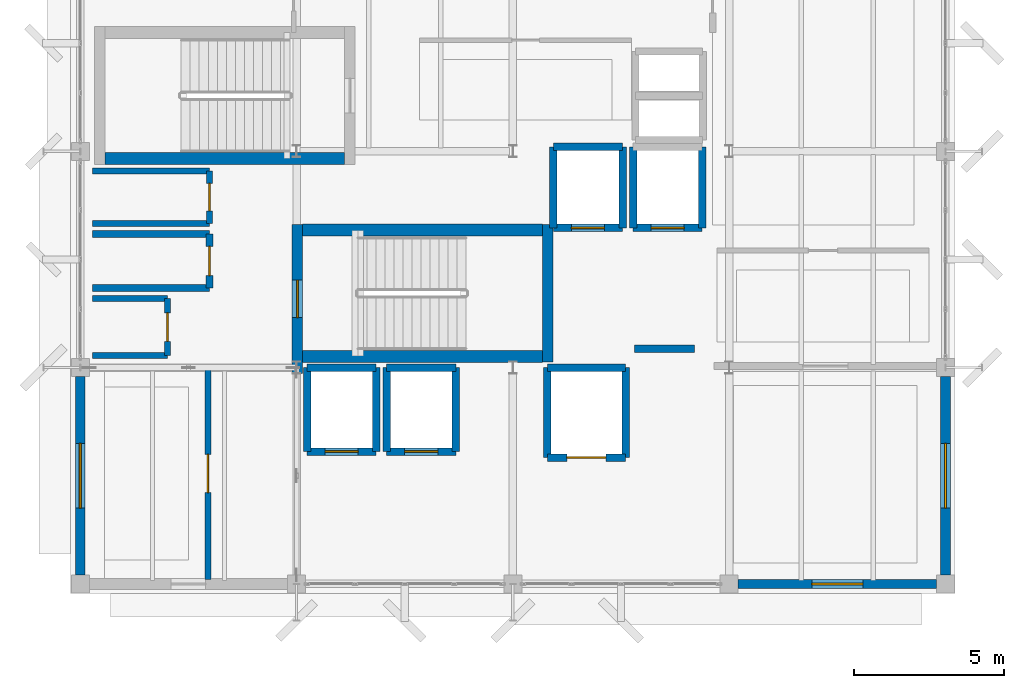
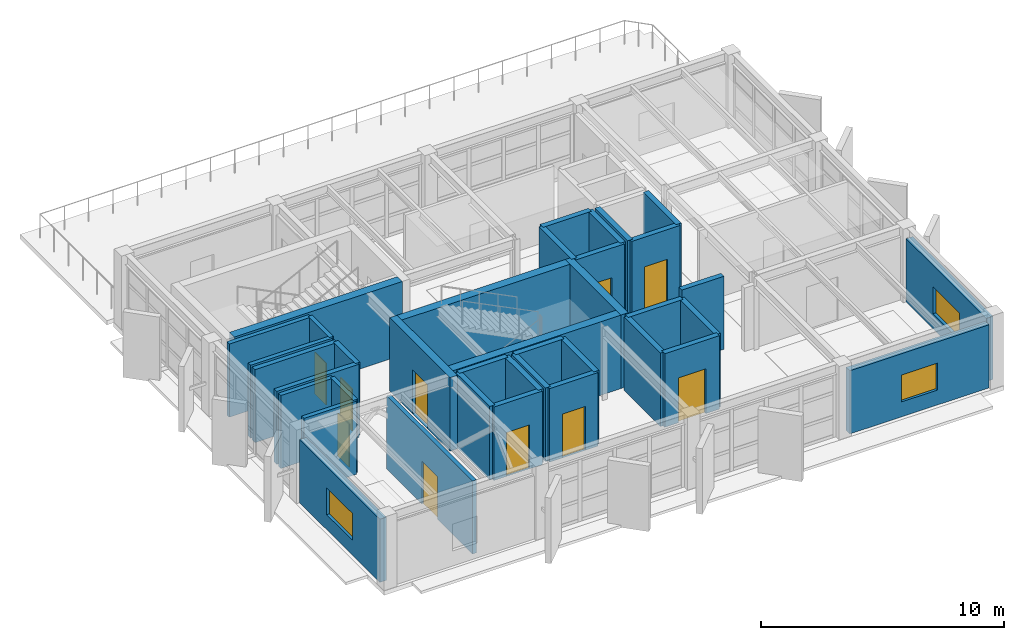
# One storey, part 11 of 16: 38 walls, 10 doors, 3 windows, 13 openings.
"""IFC4 building model written with IfcOpenShell, lengths in metres."""

from ifc_helpers import new_model, si_unit, direction, frame, frame_2d, origin, place, context, subcontext, project, spatial, rectangle, extrude, material, layer, layer_set, type_object, element, fill, save


model = new_model("IFC4")

# Units and contexts
model_context = context("Model", 3, precision=1e-05, world=origin(), true_north=direction((0.0, 1.0)))
body_context = subcontext(model_context, "Body", "Model", "MODEL_VIEW")
ifc_project = project(units=[si_unit("LENGTHUNIT", "METRE"), si_unit("AREAUNIT", "SQUARE_METRE"), si_unit("VOLUMEUNIT", "CUBIC_METRE"), si_unit("PLANEANGLEUNIT", "RADIAN"), si_unit("MASSUNIT", "GRAM", prefix="KILO")], contexts=[model_context])

# Site, building, storey
site_placement = place(None, origin())
site = spatial("IfcSite", under=ifc_project, at=site_placement, CompositionType="ELEMENT")
building_placement = place(site_placement, origin())
building = spatial("IfcBuilding", under=site, at=building_placement, Name="Kandorven Conservatory and Botanical Research Centre", CompositionType="ELEMENT")
storey_placement = place(building_placement, frame((0.0, 0.0, 44.39990234375)))
storey = spatial("IfcBuildingStorey", under=building, at=storey_placement, Name="L11", CompositionType="ELEMENT", Elevation=44.39990234375)

# Walls
ifc_material_1 = material(Name="Concrete C40/50 (M50)", Category="concrete")
ifc_layer_1 = layer(ifc_material_1, 0.39990234375)
ifc_layer_set_1 = layer_set([ifc_layer_1], Name="Concrete C40/50 (M50)")
wall_type_1 = type_object("IfcWallType", Name="Wall_CW-RC-1", PredefinedType="SHEAR", material=ifc_layer_set_1)
for number, where, z_axis, x_axis, name in (
    (1, (13.39990234375, 13.574951171875, 0.0), (0.0, 0.0, 1.0), (1.0, 0.0, 0.0), "Core stair shear wall CW-RC-1 ST-T1 L11 side A"),
    (2, (13.39990234375, 17.77490234375, 0.0), (0.0, 0.0, 1.0), (1.0, 0.0, 0.0), "Core stair shear wall CW-RC-1 ST-T1 L11 side B"),
    (3, (14.800048828125, 20.155029296875, 0.0), (0.0, 0.0, 1.0), (-1.0, 0.0, 0.0), "Core stair shear wall CW-RC-1 ST-T2 L11 side B"),
):
    element("IfcWall", number, at=place(storey_placement, frame(where, z_axis=z_axis, x_axis=x_axis)), inside=storey, type_object=wall_type_1, Name=name, PredefinedType="SHEAR", context=body_context, shape_type="SweptSolid", body=[
        extrude(rectangle(XDim=7.97998046875, YDim=0.39990234375, at=frame_2d((3.989990234375, 0.0))), origin(), (0.0, 0.0, 1.0), 3.690185546875),
    ])

# Wall, opening, door
ifc_material_2 = material(Name="Concrete C40/50 (M50)", Category="concrete")
ifc_layer_2 = layer(ifc_material_2, 0.35009765625)
ifc_layer_set_2 = layer_set([ifc_layer_2], Name="Concrete C40/50 (M50)")
wall_type_2 = type_object("IfcWallType", Name="Wall_CW-RC-2", PredefinedType="SHEAR", material=ifc_layer_set_2)
wall_1_placement = place(storey_placement, frame((13.22509765625, 13.0, 0.0), z_axis=(0.0, 0.0, 1.0), x_axis=(0.0, 1.0, 0.0)))
wall_1 = element("IfcWall", 4, at=wall_1_placement, inside=storey, type_object=wall_type_2, Name="Core stair shear wall CW-RC-2 ST-T1 L11 entry", PredefinedType="SHEAR", context=body_context, shape_type="SweptSolid", body=[
    extrude(rectangle(XDim=4.969970703125, YDim=0.35009765625, at=frame_2d((2.48486328125, 0.0))), origin(), (0.0, 0.0, 1.0), 3.690185546875),
])
opening_1_placement = place(wall_1_placement, frame((1.860107421875, 0.0, 0.0)))
opening_1 = element("IfcOpeningElement", 5, at=opening_1_placement, cuts=wall_1, Name="Opening FD-1", PredefinedType="OPENING", context=body_context, shape_type="SweptSolid", body=[
    extrude(rectangle(XDim=1.25, YDim=2.199951171875, at=frame_2d((0.625, 1.10009765625))), frame((0.0, 0.18505859375, 0.0), z_axis=(0.0, -1.0, 0.0), x_axis=(1.0, 0.0, 0.0)), (0.0, 0.0, 1.0), 0.3701171875),
])
ifc_material_3 = material(Name="Galvanised hollow steel fire door assembly", Category="steel")
door_type_1 = type_object("IfcDoorType", Name="Door_FD-1", OperationType="NOTDEFINED", PredefinedType="DOOR", material=ifc_material_3)
door_1_placement = place(opening_1_placement, origin())
door_1 = element("IfcDoor", 6, at=door_1_placement, inside=storey, type_object=door_type_1, Name="Exit stair fire door FD-1 ST-T1 L11", OperationType="SINGLE_SWING_RIGHT", OverallHeight=2.199951171875, OverallWidth=1.25, PredefinedType="DOOR", context=body_context, shape_type="SweptSolid", body=[
    extrude(rectangle(XDim=1.25, YDim=2.199951171875, at=frame_2d((0.625, 1.10009765625))), frame((0.0, 0.02490234375, 0.0), z_axis=(0.0, -1.0, 0.0), x_axis=(1.0, 0.0, 0.0)), (0.0, 0.0, 1.0), 0.050048828125),
])
fill(opening_1, door_1)

# Wall
wall_2_placement = place(storey_placement, frame((21.554931640625, 13.3798828125, 0.0), z_axis=(0.0, 0.0, 1.0), x_axis=(0.0, 1.0, 0.0)))
element("IfcWall", 7, at=wall_2_placement, inside=storey, type_object=wall_type_2, Name="Core stair shear wall CW-RC-2 ST-T1 L11 far", PredefinedType="SHEAR", context=body_context, shape_type="SweptSolid", body=[
    extrude(rectangle(XDim=4.590087890625, YDim=0.35009765625, at=frame_2d((2.294921875, 0.0))), origin(), (0.0, 0.0, 1.0), 3.690185546875),
])

# Wall, opening, door
wall_3_placement = place(storey_placement, frame((21.75, 17.85009765625, 0.0), z_axis=(0.0, 0.0, 1.0), x_axis=(1.0, 0.0, 0.0)))
wall_3 = element("IfcWall", 8, at=wall_3_placement, inside=storey, type_object=wall_type_2, Name="Lift shaft wall FFL-1 L11 S", PredefinedType="SHEAR", context=body_context, shape_type="SweptSolid", body=[
    extrude(rectangle(XDim=2.300048828125, YDim=0.25, at=frame_2d((1.14990234375, 0.0))), origin(), (0.0, 0.0, 1.0), 3.690185546875),
])
opening_2_placement = place(wall_3_placement, frame((0.60009765625, 0.0, 0.0)))
opening_2 = element("IfcOpeningElement", 9, at=opening_2_placement, cuts=wall_3, Name="Opening LD-01", PredefinedType="OPENING", context=body_context, shape_type="SweptSolid", body=[
    extrude(rectangle(XDim=1.10009765625, YDim=2.199951171875, at=frame_2d((0.550048828125, 1.10009765625))), frame((0.0, 0.135009765625, 0.0), z_axis=(0.0, -1.0, 0.0), x_axis=(1.0, 0.0, 0.0)), (0.0, 0.0, 1.0), 0.27001953125),
])
ifc_material_4 = material(Name="Anodised aluminium sliding landing door", Category="aluminium")
door_type_2 = type_object("IfcDoorType", Name="Door_LD-01", OperationType="DOUBLE_DOOR_SLIDING", PredefinedType="DOOR", material=ifc_material_4)
door_2_placement = place(opening_2_placement, origin())
door_2 = element("IfcDoor", 10, at=door_2_placement, inside=storey, type_object=door_type_2, Name="Lift landing sliding door LD-01 (FFL-1 L11)", OperationType="DOUBLE_DOOR_SLIDING", OverallHeight=2.199951171875, OverallWidth=1.10009765625, PredefinedType="DOOR", context=body_context, shape_type="SweptSolid", body=[
    extrude(rectangle(XDim=1.10009765625, YDim=2.199951171875, at=frame_2d((0.550048828125, 1.10009765625))), frame((0.0, 0.02490234375, 0.0), z_axis=(0.0, -1.0, 0.0), x_axis=(1.0, 0.0, 0.0)), (0.0, 0.0, 1.0), 0.050048828125),
])
fill(opening_2, door_2)

# Walls
wall_4_placement = place(storey_placement, frame((21.75, 20.550048828125, 0.0), z_axis=(0.0, 0.0, 1.0), x_axis=(1.0, 0.0, 0.0)))
element("IfcWall", 11, at=wall_4_placement, inside=storey, type_object=wall_type_2, Name="Lift shaft wall FFL-1 L11 N", PredefinedType="SHEAR", context=body_context, shape_type="SweptSolid", body=[
    extrude(rectangle(XDim=2.300048828125, YDim=0.25, at=frame_2d((1.14990234375, 0.0))), origin(), (0.0, 0.0, 1.0), 3.690185546875),
])
for number, where, z_axis, x_axis, name in (
    (12, (21.75, 17.85009765625, 0.0), (0.0, 0.0, 1.0), (0.0, 1.0, 0.0), "Lift shaft wall FFL-1 L11 W"),
    (13, (24.050048828125, 17.85009765625, 0.0), (0.0, 0.0, 1.0), (0.0, 1.0, 0.0), "Lift shaft wall FFL-1 L11 E"),
):
    element("IfcWall", number, at=place(storey_placement, frame(where, z_axis=z_axis, x_axis=x_axis)), inside=storey, type_object=wall_type_2, Name=name, PredefinedType="SHEAR", context=body_context, shape_type="SweptSolid", body=[
        extrude(rectangle(XDim=2.699951171875, YDim=0.25, at=frame_2d((1.35009765625, 0.0))), origin(), (0.0, 0.0, 1.0), 3.690185546875),
    ])

# Wall, opening, door
wall_5_placement = place(storey_placement, frame((24.39990234375, 17.85009765625, 0.0), z_axis=(0.0, 0.0, 1.0), x_axis=(1.0, 0.0, 0.0)))
wall_5 = element("IfcWall", 14, at=wall_5_placement, inside=storey, type_object=wall_type_2, Name="Lift shaft wall FFL-2 L11 S", PredefinedType="SHEAR", context=body_context, shape_type="SweptSolid", body=[
    extrude(rectangle(XDim=2.300048828125, YDim=0.25, at=frame_2d((1.14990234375, 0.0))), origin(), (0.0, 0.0, 1.0), 3.690185546875),
])
opening_3_placement = place(wall_5_placement, frame((0.60009765625, 0.0, 0.0)))
opening_3 = element("IfcOpeningElement", 15, at=opening_3_placement, cuts=wall_5, Name="Opening LD-01", PredefinedType="OPENING", context=body_context, shape_type="SweptSolid", body=[
    extrude(rectangle(XDim=1.10009765625, YDim=2.199951171875, at=frame_2d((0.550048828125, 1.10009765625))), frame((0.0, 0.135009765625, 0.0), z_axis=(0.0, -1.0, 0.0), x_axis=(1.0, 0.0, 0.0)), (0.0, 0.0, 1.0), 0.27001953125),
])
door_3_placement = place(opening_3_placement, origin())
door_3 = element("IfcDoor", 16, at=door_3_placement, inside=storey, type_object=door_type_2, Name="Lift landing sliding door LD-01 (FFL-2 L11)", OperationType="DOUBLE_DOOR_SLIDING", OverallHeight=2.199951171875, OverallWidth=1.10009765625, PredefinedType="DOOR", context=body_context, shape_type="SweptSolid", body=[
    extrude(rectangle(XDim=1.10009765625, YDim=2.199951171875, at=frame_2d((0.550048828125, 1.10009765625))), frame((0.0, 0.02490234375, 0.0), z_axis=(0.0, -1.0, 0.0), x_axis=(1.0, 0.0, 0.0)), (0.0, 0.0, 1.0), 0.050048828125),
])
fill(opening_3, door_3)

# Walls
for number, where, z_axis, x_axis, name in (
    (17, (24.39990234375, 17.85009765625, 0.0), (0.0, 0.0, 1.0), (0.0, 1.0, 0.0), "Lift shaft wall FFL-2 L11 W"),
    (18, (26.699951171875, 17.85009765625, 0.0), (0.0, 0.0, 1.0), (0.0, 1.0, 0.0), "Lift shaft wall FFL-2 L11 E"),
):
    element("IfcWall", number, at=place(storey_placement, frame(where, z_axis=z_axis, x_axis=x_axis)), inside=storey, type_object=wall_type_2, Name=name, PredefinedType="SHEAR", context=body_context, shape_type="SweptSolid", body=[
        extrude(rectangle(XDim=2.699951171875, YDim=0.25, at=frame_2d((1.35009765625, 0.0))), origin(), (0.0, 0.0, 1.0), 3.690185546875),
    ])

# Wall, opening, door
wall_6_placement = place(storey_placement, frame((13.550048828125, 10.39990234375, 0.0), z_axis=(0.0, 0.0, 1.0), x_axis=(1.0, 0.0, 0.0)))
wall_6 = element("IfcWall", 19, at=wall_6_placement, inside=storey, type_object=wall_type_2, Name="Lift shaft wall PL-1 L11 S", PredefinedType="SHEAR", context=body_context, shape_type="SweptSolid", body=[
    extrude(rectangle(XDim=2.300048828125, YDim=0.25, at=frame_2d((1.14990234375, 0.0))), origin(), (0.0, 0.0, 1.0), 3.690185546875),
])
opening_4_placement = place(wall_6_placement, frame((0.60009765625, 0.0, 0.0)))
opening_4 = element("IfcOpeningElement", 20, at=opening_4_placement, cuts=wall_6, Name="Opening LD-01", PredefinedType="OPENING", context=body_context, shape_type="SweptSolid", body=[
    extrude(rectangle(XDim=1.10009765625, YDim=2.199951171875, at=frame_2d((0.550048828125, 1.10009765625))), frame((0.0, 0.135009765625, 0.0), z_axis=(0.0, -1.0, 0.0), x_axis=(1.0, 0.0, 0.0)), (0.0, 0.0, 1.0), 0.27001953125),
])
door_4_placement = place(opening_4_placement, origin())
door_4 = element("IfcDoor", 21, at=door_4_placement, inside=storey, type_object=door_type_2, Name="Lift landing sliding door LD-01 (PL-1 L11)", OperationType="DOUBLE_DOOR_SLIDING", OverallHeight=2.199951171875, OverallWidth=1.10009765625, PredefinedType="DOOR", context=body_context, shape_type="SweptSolid", body=[
    extrude(rectangle(XDim=1.10009765625, YDim=2.199951171875, at=frame_2d((0.550048828125, 1.10009765625))), frame((0.0, 0.02490234375, 0.0), z_axis=(0.0, -1.0, 0.0), x_axis=(1.0, 0.0, 0.0)), (0.0, 0.0, 1.0), 0.050048828125),
])
fill(opening_4, door_4)

# Walls
wall_7_placement = place(storey_placement, frame((13.550048828125, 13.199951171875, 0.0), z_axis=(0.0, 0.0, 1.0), x_axis=(1.0, 0.0, 0.0)))
element("IfcWall", 22, at=wall_7_placement, inside=storey, type_object=wall_type_2, Name="Lift shaft wall PL-1 L11 N", PredefinedType="SHEAR", context=body_context, shape_type="SweptSolid", body=[
    extrude(rectangle(XDim=2.300048828125, YDim=0.25, at=frame_2d((1.14990234375, 0.0))), origin(), (0.0, 0.0, 1.0), 3.690185546875),
])
for number, where, z_axis, x_axis, name in (
    (23, (13.550048828125, 10.39990234375, 0.0), (0.0, 0.0, 1.0), (0.0, 1.0, 0.0), "Lift shaft wall PL-1 L11 W"),
    (24, (15.85009765625, 10.39990234375, 0.0), (0.0, 0.0, 1.0), (0.0, 1.0, 0.0), "Lift shaft wall PL-1 L11 E"),
):
    element("IfcWall", number, at=place(storey_placement, frame(where, z_axis=z_axis, x_axis=x_axis)), inside=storey, type_object=wall_type_2, Name=name, PredefinedType="SHEAR", context=body_context, shape_type="SweptSolid", body=[
        extrude(rectangle(XDim=2.800048828125, YDim=0.25, at=frame_2d((1.39990234375, 0.0))), origin(), (0.0, 0.0, 1.0), 3.690185546875),
    ])

# Wall, opening, door
wall_8_placement = place(storey_placement, frame((16.199951171875, 10.39990234375, 0.0), z_axis=(0.0, 0.0, 1.0), x_axis=(1.0, 0.0, 0.0)))
wall_8 = element("IfcWall", 25, at=wall_8_placement, inside=storey, type_object=wall_type_2, Name="Lift shaft wall PL-2 L11 S", PredefinedType="SHEAR", context=body_context, shape_type="SweptSolid", body=[
    extrude(rectangle(XDim=2.300048828125, YDim=0.25, at=frame_2d((1.14990234375, 0.0))), origin(), (0.0, 0.0, 1.0), 3.690185546875),
])
opening_5_placement = place(wall_8_placement, frame((0.60009765625, 0.0, 0.0)))
opening_5 = element("IfcOpeningElement", 26, at=opening_5_placement, cuts=wall_8, Name="Opening LD-01", PredefinedType="OPENING", context=body_context, shape_type="SweptSolid", body=[
    extrude(rectangle(XDim=1.10009765625, YDim=2.199951171875, at=frame_2d((0.550048828125, 1.10009765625))), frame((0.0, 0.135009765625, 0.0), z_axis=(0.0, -1.0, 0.0), x_axis=(1.0, 0.0, 0.0)), (0.0, 0.0, 1.0), 0.27001953125),
])
door_5_placement = place(opening_5_placement, origin())
door_5 = element("IfcDoor", 27, at=door_5_placement, inside=storey, type_object=door_type_2, Name="Lift landing sliding door LD-01 (PL-2 L11)", OperationType="DOUBLE_DOOR_SLIDING", OverallHeight=2.199951171875, OverallWidth=1.10009765625, PredefinedType="DOOR", context=body_context, shape_type="SweptSolid", body=[
    extrude(rectangle(XDim=1.10009765625, YDim=2.199951171875, at=frame_2d((0.550048828125, 1.10009765625))), frame((0.0, 0.02490234375, 0.0), z_axis=(0.0, -1.0, 0.0), x_axis=(1.0, 0.0, 0.0)), (0.0, 0.0, 1.0), 0.050048828125),
])
fill(opening_5, door_5)

# Walls
wall_9_placement = place(storey_placement, frame((16.199951171875, 13.199951171875, 0.0), z_axis=(0.0, 0.0, 1.0), x_axis=(1.0, 0.0, 0.0)))
element("IfcWall", 28, at=wall_9_placement, inside=storey, type_object=wall_type_2, Name="Lift shaft wall PL-2 L11 N", PredefinedType="SHEAR", context=body_context, shape_type="SweptSolid", body=[
    extrude(rectangle(XDim=2.300048828125, YDim=0.25, at=frame_2d((1.14990234375, 0.0))), origin(), (0.0, 0.0, 1.0), 3.690185546875),
])
for number, where, z_axis, x_axis, name in (
    (29, (16.199951171875, 10.39990234375, 0.0), (0.0, 0.0, 1.0), (0.0, 1.0, 0.0), "Lift shaft wall PL-2 L11 W"),
    (30, (18.5, 10.39990234375, 0.0), (0.0, 0.0, 1.0), (0.0, 1.0, 0.0), "Lift shaft wall PL-2 L11 E"),
):
    element("IfcWall", number, at=place(storey_placement, frame(where, z_axis=z_axis, x_axis=x_axis)), inside=storey, type_object=wall_type_2, Name=name, PredefinedType="SHEAR", context=body_context, shape_type="SweptSolid", body=[
        extrude(rectangle(XDim=2.800048828125, YDim=0.25, at=frame_2d((1.39990234375, 0.0))), origin(), (0.0, 0.0, 1.0), 3.690185546875),
    ])

# Wall, opening, door
wall_10_placement = place(storey_placement, frame((21.550048828125, 10.199951171875, 0.0), z_axis=(0.0, 0.0, 1.0), x_axis=(1.0, 0.0, 0.0)))
wall_10 = element("IfcWall", 31, at=wall_10_placement, inside=storey, type_object=wall_type_2, Name="Lift shaft wall GL-1 L11 S", PredefinedType="SHEAR", context=body_context, shape_type="SweptSolid", body=[
    extrude(rectangle(XDim=2.599853515625, YDim=0.25, at=frame_2d((1.2998046875, 0.0))), origin(), (0.0, 0.0, 1.0), 3.690185546875),
])
opening_6_placement = place(wall_10_placement, frame((0.64990234375, 0.0, 0.0)))
opening_6 = element("IfcOpeningElement", 32, at=opening_6_placement, cuts=wall_10, Name="Opening LD-02", PredefinedType="OPENING", context=body_context, shape_type="SweptSolid", body=[
    extrude(rectangle(XDim=1.300048828125, YDim=2.25, at=frame_2d((0.64990234375, 1.125))), frame((0.0, 0.135009765625, 0.0), z_axis=(0.0, -1.0, 0.0), x_axis=(1.0, 0.0, 0.0)), (0.0, 0.0, 1.0), 0.27001953125),
])
ifc_material_5 = material(Name="Anodised aluminium sliding landing door", Category="aluminium")
door_type_3 = type_object("IfcDoorType", Name="Door_LD-02", OperationType="DOUBLE_DOOR_SLIDING", PredefinedType="DOOR", material=ifc_material_5)
door_6_placement = place(opening_6_placement, origin())
door_6 = element("IfcDoor", 33, at=door_6_placement, inside=storey, type_object=door_type_3, Name="Lift landing sliding door LD-02 (GL-1 L11)", OperationType="DOUBLE_DOOR_SLIDING", OverallHeight=2.25, OverallWidth=1.300048828125, PredefinedType="DOOR", context=body_context, shape_type="SweptSolid", body=[
    extrude(rectangle(XDim=1.300048828125, YDim=2.25, at=frame_2d((0.64990234375, 1.125))), frame((0.0, 0.02490234375, 0.0), z_axis=(0.0, -1.0, 0.0), x_axis=(1.0, 0.0, 0.0)), (0.0, 0.0, 1.0), 0.050048828125),
])
fill(opening_6, door_6)

# Walls
wall_11_placement = place(storey_placement, frame((21.550048828125, 13.199951171875, 0.0), z_axis=(0.0, 0.0, 1.0), x_axis=(1.0, 0.0, 0.0)))
element("IfcWall", 34, at=wall_11_placement, inside=storey, type_object=wall_type_2, Name="Lift shaft wall GL-1 L11 N", PredefinedType="SHEAR", context=body_context, shape_type="SweptSolid", body=[
    extrude(rectangle(XDim=2.599853515625, YDim=0.25, at=frame_2d((1.2998046875, 0.0))), origin(), (0.0, 0.0, 1.0), 3.690185546875),
])
for number, where, z_axis, x_axis, name in (
    (35, (21.550048828125, 10.199951171875, 0.0), (0.0, 0.0, 1.0), (0.0, 1.0, 0.0), "Lift shaft wall GL-1 L11 W"),
    (36, (24.14990234375, 10.199951171875, 0.0), (0.0, 0.0, 1.0), (0.0, 1.0, 0.0), "Lift shaft wall GL-1 L11 E"),
):
    element("IfcWall", number, at=place(storey_placement, frame(where, z_axis=z_axis, x_axis=x_axis)), inside=storey, type_object=wall_type_2, Name=name, PredefinedType="SHEAR", context=body_context, shape_type="SweptSolid", body=[
        extrude(rectangle(XDim=3.0, YDim=0.25, at=frame_2d((1.5, 0.0))), origin(), (0.0, 0.0, 1.0), 3.690185546875),
    ])

# Wall, opening, window
ifc_material_6 = material(Name="Concrete C32/40 (M40)", Category="concrete")
ifc_layer_3 = layer(ifc_material_6, 0.320068359375)
ifc_layer_set_3 = layer_set([ifc_layer_3], Name="Concrete C32/40 (M40)")
wall_type_3 = type_object("IfcWallType", Name="Wall_EW-03", PredefinedType="STANDARD", material=ifc_layer_set_3)
wall_12_placement = place(storey_placement, frame((6.0, 6.300048828125, 0.0), z_axis=(0.0, 0.0, 1.0), x_axis=(0.0, 1.0, 0.0)))
wall_12 = element("IfcWall", 37, at=wall_12_placement, inside=storey, type_object=wall_type_3, Name="Tower concrete facade wall EW-03 W L11", PredefinedType="STANDARD", context=body_context, shape_type="SweptSolid", body=[
    extrude(rectangle(XDim=6.599853515625, YDim=0.320068359375, at=frame_2d((3.2998046875, 0.0))), origin(), (0.0, 0.0, 1.0), 3.170166015625),
])
opening_7_placement = place(wall_12_placement, frame((2.22509765625, 0.0, 0.75)))
opening_7 = element("IfcOpeningElement", 38, at=opening_7_placement, cuts=wall_12, Name="Opening W-36", PredefinedType="OPENING", context=body_context, shape_type="SweptSolid", body=[
    extrude(rectangle(XDim=2.14990234375, YDim=1.35009765625, at=frame_2d((1.074951171875, 0.675048828125))), frame((0.0, 0.169921875, 0.0), z_axis=(0.0, -1.0, 0.0), x_axis=(1.0, 0.0, 0.0)), (0.0, 0.0, 1.0), 0.340087890625),
])
ifc_material_7 = material(Name="Double-glazed solar-control low-E glass", Category="glass")
window_type_1 = type_object("IfcWindowType", Name="Win_W-36", PartitioningType="DOUBLE_PANEL_VERTICAL", PredefinedType="WINDOW", material=ifc_material_7)
window_1_placement = place(opening_7_placement, origin())
window_1 = element("IfcWindow", 39, at=window_1_placement, inside=storey, type_object=window_type_1, Name="Tower recessed solar window W-36", OverallHeight=1.35009765625, OverallWidth=2.14990234375, PartitioningType="SINGLE_PANEL", PredefinedType="WINDOW", context=body_context, shape_type="SweptSolid", body=[
    extrude(rectangle(XDim=2.14990234375, YDim=1.35009765625, at=frame_2d((1.074951171875, 0.675048828125))), frame((0.0, 0.030029296875, 0.0), z_axis=(0.0, -1.0, 0.0), x_axis=(1.0, 0.0, 0.0)), (0.0, 0.0, 1.0), 0.06005859375),
])
fill(opening_7, window_1)

wall_13_placement = place(storey_placement, frame((34.800048828125, 6.300048828125, 0.0), z_axis=(0.0, 0.0, 1.0), x_axis=(0.0, 1.0, 0.0)))
wall_13 = element("IfcWall", 40, at=wall_13_placement, inside=storey, type_object=wall_type_3, Name="Tower concrete facade wall EW-03 E L11", PredefinedType="STANDARD", context=body_context, shape_type="SweptSolid", body=[
    extrude(rectangle(XDim=6.599853515625, YDim=0.320068359375, at=frame_2d((3.2998046875, 0.0))), origin(), (0.0, 0.0, 1.0), 3.170166015625),
])
opening_8_placement = place(wall_13_placement, frame((2.22509765625, 0.0, 0.75)))
opening_8 = element("IfcOpeningElement", 41, at=opening_8_placement, cuts=wall_13, Name="Opening W-36", PredefinedType="OPENING", context=body_context, shape_type="SweptSolid", body=[
    extrude(rectangle(XDim=2.14990234375, YDim=1.35009765625, at=frame_2d((1.074951171875, 0.675048828125))), frame((0.0, 0.169921875, 0.0), z_axis=(0.0, -1.0, 0.0), x_axis=(1.0, 0.0, 0.0)), (0.0, 0.0, 1.0), 0.340087890625),
])
window_2_placement = place(opening_8_placement, origin())
window_2 = element("IfcWindow", 42, at=window_2_placement, inside=storey, type_object=window_type_1, Name="Tower recessed solar window W-36", OverallHeight=1.35009765625, OverallWidth=2.14990234375, PartitioningType="SINGLE_PANEL", PredefinedType="WINDOW", context=body_context, shape_type="SweptSolid", body=[
    extrude(rectangle(XDim=2.14990234375, YDim=1.35009765625, at=frame_2d((1.074951171875, 0.675048828125))), frame((0.0, 0.030029296875, 0.0), z_axis=(0.0, -1.0, 0.0), x_axis=(1.0, 0.0, 0.0)), (0.0, 0.0, 1.0), 0.06005859375),
])
fill(opening_8, window_2)

ifc_material_8 = material(Name="Concrete C32/40 (M40)", Category="concrete")
ifc_layer_4 = layer(ifc_material_8, 0.300048828125)
ifc_layer_set_4 = layer_set([ifc_layer_4], Name="Concrete C32/40 (M40)")
wall_type_4 = type_object("IfcWallType", Name="Wall_EW-04", PredefinedType="STANDARD", material=ifc_layer_set_4)
wall_14_placement = place(storey_placement, frame((27.89990234375, 6.0, 0.0), z_axis=(0.0, 0.0, 1.0), x_axis=(1.0, 0.0, 0.0)))
wall_14 = element("IfcWall", 43, at=wall_14_placement, inside=storey, type_object=wall_type_4, Name="Tower concrete facade wall EW-04 S L11", PredefinedType="STANDARD", context=body_context, shape_type="SweptSolid", body=[
    extrude(rectangle(XDim=6.60009765625, YDim=0.300048828125, at=frame_2d((3.300048828125, 0.0))), origin(), (0.0, 0.0, 1.0), 3.170166015625),
])
opening_9_placement = place(wall_14_placement, frame((2.449951171875, 0.0, 0.75)))
opening_9 = element("IfcOpeningElement", 44, at=opening_9_placement, cuts=wall_14, Name="Opening W-34", PredefinedType="OPENING", context=body_context, shape_type="SweptSolid", body=[
    extrude(rectangle(XDim=1.699951171875, YDim=1.35009765625, at=frame_2d((0.85009765625, 0.675048828125))), frame((0.0, 0.159912109375, 0.0), z_axis=(0.0, -1.0, 0.0), x_axis=(1.0, 0.0, 0.0)), (0.0, 0.0, 1.0), 0.320068359375),
])
ifc_material_9 = material(Name="Double-glazed solar-control low-E glass", Category="glass")
window_type_2 = type_object("IfcWindowType", Name="Win_W-34", PartitioningType="DOUBLE_PANEL_VERTICAL", PredefinedType="WINDOW", material=ifc_material_9)
window_3_placement = place(opening_9_placement, origin())
window_3 = element("IfcWindow", 45, at=window_3_placement, inside=storey, type_object=window_type_2, Name="Tower recessed solar window W-34", OverallHeight=1.35009765625, OverallWidth=1.699951171875, PartitioningType="SINGLE_PANEL", PredefinedType="WINDOW", context=body_context, shape_type="SweptSolid", body=[
    extrude(rectangle(XDim=1.699951171875, YDim=1.35009765625, at=frame_2d((0.85009765625, 0.675048828125))), frame((0.0, 0.030029296875, 0.0), z_axis=(0.0, -1.0, 0.0), x_axis=(1.0, 0.0, 0.0)), (0.0, 0.0, 1.0), 0.06005859375),
])
fill(opening_9, window_3)

# Wall, opening, door
ifc_material_10 = material(Name="Autoclaved aerated concrete blockwork masonry", Category="masonry")
ifc_layer_5 = layer(ifc_material_10, 0.195068359375)
ifc_layer_set_5 = layer_set([ifc_layer_5], Name="Autoclaved aerated concrete blockwork masonry")
wall_type_5 = type_object("IfcWallType", Name="Wall_IW-02", PredefinedType="PARTITIONING", material=ifc_layer_set_5)
wall_15_placement = place(storey_placement, frame((10.25, 6.14990234375, 0.0), z_axis=(0.0, 0.0, 1.0), x_axis=(0.0, 1.0, 0.0)))
wall_15 = element("IfcWall", 46, at=wall_15_placement, inside=storey, type_object=wall_type_5, Name="Interior partition wall IW-02 (Senior Curator Research Studio L11)", PredefinedType="PARTITIONING", context=body_context, shape_type="SweptSolid", body=[
    extrude(rectangle(XDim=7.050048828125, YDim=0.195068359375, at=frame_2d((3.52490234375, 0.0))), origin(), (0.0, 0.0, 1.0), 3.670166015625),
])
opening_10_placement = place(wall_15_placement, frame((2.885009765625, 0.0, 0.0)))
opening_10 = element("IfcOpeningElement", 47, at=opening_10_placement, cuts=wall_15, Name="Opening D-15", PredefinedType="OPENING", context=body_context, shape_type="SweptSolid", body=[
    extrude(rectangle(XDim=1.280029296875, YDim=2.14990234375, at=frame_2d((0.64013671875, 1.074951171875))), frame((0.0, 0.107421875, 0.0), z_axis=(0.0, -1.0, 0.0), x_axis=(1.0, 0.0, 0.0)), (0.0, 0.0, 1.0), 0.215087890625),
])
ifc_material_11 = material(Name="Solid core acoustic teak-veneered timber leaf", Category="wood")
door_type_4 = type_object("IfcDoorType", Name="Door_D-15", OperationType="NOTDEFINED", PredefinedType="DOOR", material=ifc_material_11)
door_7_placement = place(opening_10_placement, origin())
door_7 = element("IfcDoor", 48, at=door_7_placement, inside=storey, type_object=door_type_4, Name="Interior door D-15 to Senior Curator Research Studio L11", OperationType="SINGLE_SWING_LEFT", OverallHeight=2.14990234375, OverallWidth=1.280029296875, PredefinedType="DOOR", context=body_context, shape_type="SweptSolid", body=[
    extrude(rectangle(XDim=1.280029296875, YDim=2.14990234375, at=frame_2d((0.64013671875, 1.074951171875))), frame((0.0, 0.02490234375, 0.0), z_axis=(0.0, -1.0, 0.0), x_axis=(1.0, 0.0, 0.0)), (0.0, 0.0, 1.0), 0.050048828125),
])
fill(opening_10, door_7)

# Wall
ifc_material_12 = material(Name="Concrete C32/40 (M40)", Category="concrete")
ifc_layer_6 = layer(ifc_material_12, 0.25)
ifc_layer_set_6 = layer_set([ifc_layer_6], Name="Concrete C32/40 (M40)")
wall_type_6 = type_object("IfcWallType", Name="Wall_IW-FR-1", PredefinedType="SOLIDWALL", material=ifc_layer_set_6)
wall_16_placement = place(storey_placement, frame((24.449951171875, 13.820068359375, 0.0), z_axis=(0.0, 0.0, 1.0), x_axis=(1.0, 0.0, 0.0)))
element("IfcWall", 49, at=wall_16_placement, inside=storey, type_object=wall_type_6, Name="Interior fire partition wall IW-FR-1 (Firefighting Lift Lobby L11)", PredefinedType="SOLIDWALL", context=body_context, shape_type="SweptSolid", body=[
    extrude(rectangle(XDim=2.0, YDim=0.25, at=frame_2d((1.0, 0.0))), origin(), (0.0, 0.0, 1.0), 3.670166015625),
])

# Wall, opening, door
ifc_material_13 = material(Name="Autoclaved aerated concrete blockwork masonry", Category="masonry")
ifc_layer_7 = layer(ifc_material_13, 0.22998046875)
ifc_layer_set_7 = layer_set([ifc_layer_7], Name="Autoclaved aerated concrete blockwork masonry")
wall_type_7 = type_object("IfcWallType", Name="Wall_PW-PL-1", PredefinedType="PLUMBINGWALL", material=ifc_layer_set_7)
wall_17_placement = place(storey_placement, frame((10.300048828125, 15.85009765625, 0.0), z_axis=(0.0, 0.0, 1.0), x_axis=(0.0, 1.0, 0.0)))
wall_17 = element("IfcWall", 50, at=wall_17_placement, inside=storey, type_object=wall_type_7, Name="Interior partition wall PW-PL-1 (Staff Female WC L11)", PredefinedType="PLUMBINGWALL", context=body_context, shape_type="SweptSolid", body=[
    extrude(rectangle(XDim=1.7998046875, YDim=0.22998046875, at=frame_2d((0.89990234375, 0.0))), origin(), (0.0, 0.0, 1.0), 3.670166015625),
])
opening_11_placement = place(wall_17_placement, frame((0.409912109375, 0.0, 0.0)))
opening_11 = element("IfcOpeningElement", 51, at=opening_11_placement, cuts=wall_17, Name="Opening D-12", PredefinedType="OPENING", context=body_context, shape_type="SweptSolid", body=[
    extrude(rectangle(XDim=0.97998046875, YDim=2.10009765625, at=frame_2d((0.489990234375, 1.050048828125))), frame((0.0, 0.125, 0.0), z_axis=(0.0, -1.0, 0.0), x_axis=(1.0, 0.0, 0.0)), (0.0, 0.0, 1.0), 0.25),
])
ifc_material_14 = material(Name="Solid core acoustic teak-veneered timber leaf", Category="wood")
door_type_5 = type_object("IfcDoorType", Name="Door_D-12", OperationType="NOTDEFINED", PredefinedType="DOOR", material=ifc_material_14)
door_8_placement = place(opening_11_placement, origin())
door_8 = element("IfcDoor", 52, at=door_8_placement, inside=storey, type_object=door_type_5, Name="Interior door D-12 to Staff Female WC L11", OperationType="SINGLE_SWING_RIGHT", OverallHeight=2.10009765625, OverallWidth=0.97998046875, PredefinedType="DOOR", context=body_context, shape_type="SweptSolid", body=[
    extrude(rectangle(XDim=0.97998046875, YDim=2.10009765625, at=frame_2d((0.489990234375, 1.050048828125))), frame((0.0, 0.02490234375, 0.0), z_axis=(0.0, -1.0, 0.0), x_axis=(1.0, 0.0, 0.0)), (0.0, 0.0, 1.0), 0.050048828125),
])
fill(opening_11, door_8)

# Walls
for number, where, z_axis, x_axis, name in (
    (53, (6.39990234375, 15.85009765625, 0.0), (0.0, 0.0, 1.0), (1.0, 0.0, 0.0), "Sanitary enclosure wall PW-PL-1 (Staff Female WC L11 S)"),
    (54, (6.39990234375, 17.64990234375, 0.0), (0.0, 0.0, 1.0), (1.0, 0.0, 0.0), "Sanitary enclosure wall PW-PL-1 (Staff Female WC L11 N)"),
):
    element("IfcWall", number, at=place(storey_placement, frame(where, z_axis=z_axis, x_axis=x_axis)), inside=storey, type_object=wall_type_7, Name=name, PredefinedType="PLUMBINGWALL", context=body_context, shape_type="SweptSolid", body=[
        extrude(rectangle(XDim=3.900146484375, YDim=0.22998046875, at=frame_2d((1.9501953125, 0.0))), origin(), (0.0, 0.0, 1.0), 3.670166015625),
    ])

# Wall, opening, door
ifc_material_15 = material(Name="Autoclaved aerated concrete blockwork masonry", Category="masonry")
ifc_layer_8 = layer(ifc_material_15, 0.205078125)
ifc_layer_set_8 = layer_set([ifc_layer_8], Name="Autoclaved aerated concrete blockwork masonry")
wall_type_8 = type_object("IfcWallType", Name="Wall_PW-PL-2", PredefinedType="PLUMBINGWALL", material=ifc_layer_set_8)
wall_18_placement = place(storey_placement, frame((8.89990234375, 13.60009765625, 0.0), z_axis=(0.0, 0.0, 1.0), x_axis=(0.0, 1.0, 0.0)))
wall_18 = element("IfcWall", 55, at=wall_18_placement, inside=storey, type_object=wall_type_8, Name="Interior partition wall PW-PL-2 (Accessible WC L11)", PredefinedType="PLUMBINGWALL", context=body_context, shape_type="SweptSolid", body=[
    extrude(rectangle(XDim=1.89990234375, YDim=0.205078125, at=frame_2d((0.949951171875, 0.0))), origin(), (0.0, 0.0, 1.0), 3.670166015625),
])
opening_12_placement = place(wall_18_placement, frame((0.47509765625, 0.0, 0.0)))
opening_12 = element("IfcOpeningElement", 56, at=opening_12_placement, cuts=wall_18, Name="Opening D-01", PredefinedType="OPENING", context=body_context, shape_type="SweptSolid", body=[
    extrude(rectangle(XDim=0.949951171875, YDim=2.14990234375, at=frame_2d((0.47509765625, 1.074951171875))), frame((0.0, 0.112548828125, 0.0), z_axis=(0.0, -1.0, 0.0), x_axis=(1.0, 0.0, 0.0)), (0.0, 0.0, 1.0), 0.22509765625),
])
ifc_material_16 = material(Name="Solid core acoustic teak-veneered timber leaf", Category="wood")
door_type_6 = type_object("IfcDoorType", Name="Door_D-01", OperationType="NOTDEFINED", PredefinedType="DOOR", material=ifc_material_16)
door_9_placement = place(opening_12_placement, frame((0.949951171875, 0.0, 0.0), z_axis=(0.0, 0.0, 1.0), x_axis=(-1.0, 0.0, 0.0)))
door_9 = element("IfcDoor", 57, at=door_9_placement, inside=storey, type_object=door_type_6, Name="Interior door D-01 to Accessible WC L11", OperationType="SINGLE_SWING_LEFT", OverallHeight=2.14990234375, OverallWidth=0.949951171875, PredefinedType="DOOR", context=body_context, shape_type="SweptSolid", body=[
    extrude(rectangle(XDim=0.949951171875, YDim=2.14990234375, at=frame_2d((0.47509765625, 1.074951171875))), frame((0.0, 0.02490234375, 0.0), z_axis=(0.0, -1.0, 0.0), x_axis=(1.0, 0.0, 0.0)), (0.0, 0.0, 1.0), 0.050048828125),
])
fill(opening_12, door_9)

# Walls
for number, where, z_axis, x_axis, name in (
    (58, (6.39990234375, 13.60009765625, 0.0), (0.0, 0.0, 1.0), (1.0, 0.0, 0.0), "Sanitary enclosure wall PW-PL-2 (Accessible WC L11 S)"),
    (59, (6.39990234375, 15.5, 0.0), (0.0, 0.0, 1.0), (1.0, 0.0, 0.0), "Sanitary enclosure wall PW-PL-2 (Accessible WC L11 N)"),
):
    element("IfcWall", number, at=place(storey_placement, frame(where, z_axis=z_axis, x_axis=x_axis)), inside=storey, type_object=wall_type_8, Name=name, PredefinedType="PLUMBINGWALL", context=body_context, shape_type="SweptSolid", body=[
        extrude(rectangle(XDim=2.5, YDim=0.205078125, at=frame_2d((1.25, 0.0))), origin(), (0.0, 0.0, 1.0), 3.670166015625),
    ])

# Wall, opening, door
wall_19_placement = place(storey_placement, frame((10.300048828125, 18.0, 0.0), z_axis=(0.0, 0.0, 1.0), x_axis=(0.0, 1.0, 0.0)))
wall_19 = element("IfcWall", 60, at=wall_19_placement, inside=storey, type_object=wall_type_8, Name="Interior partition wall PW-PL-2 (Staff Male WC L11)", PredefinedType="PLUMBINGWALL", context=body_context, shape_type="SweptSolid", body=[
    extrude(rectangle(XDim=1.75, YDim=0.205078125, at=frame_2d((0.875, 0.0))), origin(), (0.0, 0.0, 1.0), 3.670166015625),
])
opening_13_placement = place(wall_19_placement, frame((0.4150390625, 0.0, 0.0)))
opening_13 = element("IfcOpeningElement", 61, at=opening_13_placement, cuts=wall_19, Name="Opening D-11", PredefinedType="OPENING", context=body_context, shape_type="SweptSolid", body=[
    extrude(rectangle(XDim=0.919921875, YDim=2.10009765625, at=frame_2d((0.4599609375, 1.050048828125))), frame((0.0, 0.112548828125, 0.0), z_axis=(0.0, -1.0, 0.0), x_axis=(1.0, 0.0, 0.0)), (0.0, 0.0, 1.0), 0.22509765625),
])
ifc_material_17 = material(Name="Solid core acoustic teak-veneered timber leaf", Category="wood")
door_type_7 = type_object("IfcDoorType", Name="Door_D-11", OperationType="NOTDEFINED", PredefinedType="DOOR", material=ifc_material_17)
door_10_placement = place(opening_13_placement, origin())
door_10 = element("IfcDoor", 62, at=door_10_placement, inside=storey, type_object=door_type_7, Name="Interior door D-11 to Staff Male WC L11", OperationType="SINGLE_SWING_LEFT", OverallHeight=2.10009765625, OverallWidth=0.919921875, PredefinedType="DOOR", context=body_context, shape_type="SweptSolid", body=[
    extrude(rectangle(XDim=0.919921875, YDim=2.10009765625, at=frame_2d((0.4599609375, 1.050048828125))), frame((0.0, 0.02490234375, 0.0), z_axis=(0.0, -1.0, 0.0), x_axis=(1.0, 0.0, 0.0)), (0.0, 0.0, 1.0), 0.050048828125),
])
fill(opening_13, door_10)

# Walls
for number, where, z_axis, x_axis, name in (
    (63, (6.39990234375, 18.0, 0.0), (0.0, 0.0, 1.0), (1.0, 0.0, 0.0), "Sanitary enclosure wall PW-PL-2 (Staff Male WC L11 S)"),
    (64, (6.39990234375, 19.75, 0.0), (0.0, 0.0, 1.0), (1.0, 0.0, 0.0), "Sanitary enclosure wall PW-PL-2 (Staff Male WC L11 N)"),
):
    element("IfcWall", number, at=place(storey_placement, frame(where, z_axis=z_axis, x_axis=x_axis)), inside=storey, type_object=wall_type_8, Name=name, PredefinedType="PLUMBINGWALL", context=body_context, shape_type="SweptSolid", body=[
        extrude(rectangle(XDim=3.900146484375, YDim=0.205078125, at=frame_2d((1.9501953125, 0.0))), origin(), (0.0, 0.0, 1.0), 3.670166015625),
    ])

save(model, "model.ifc")
